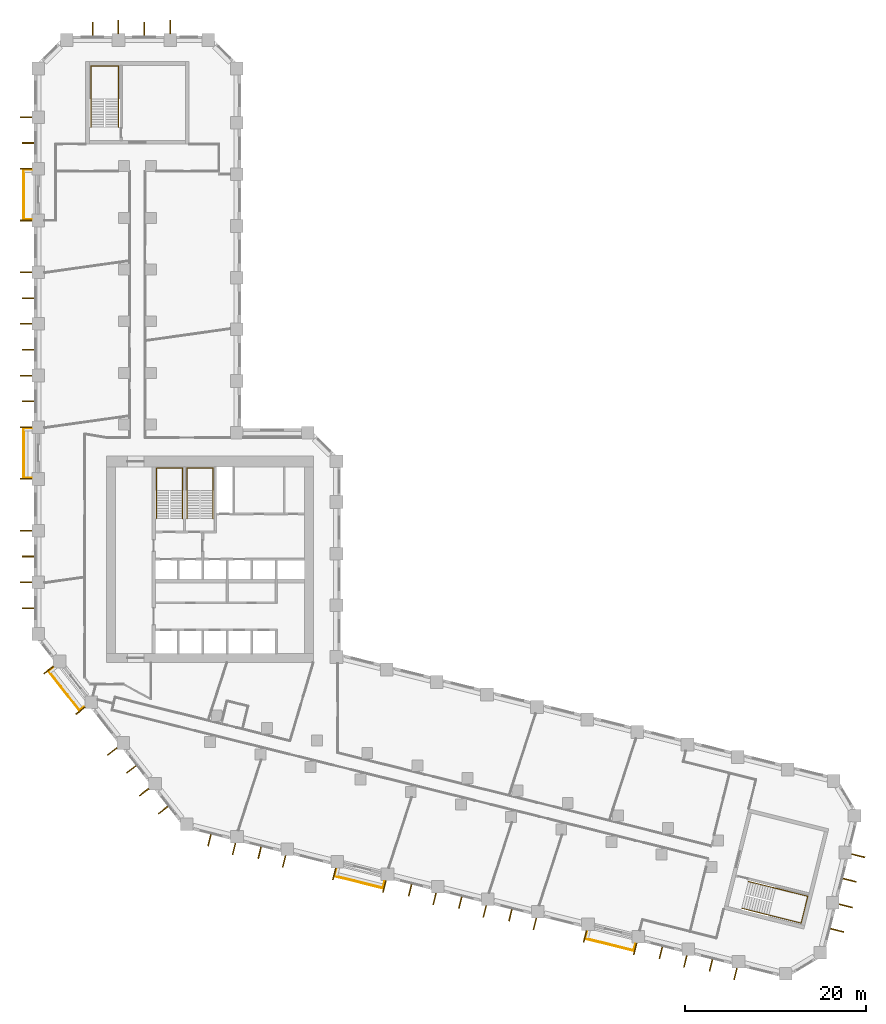
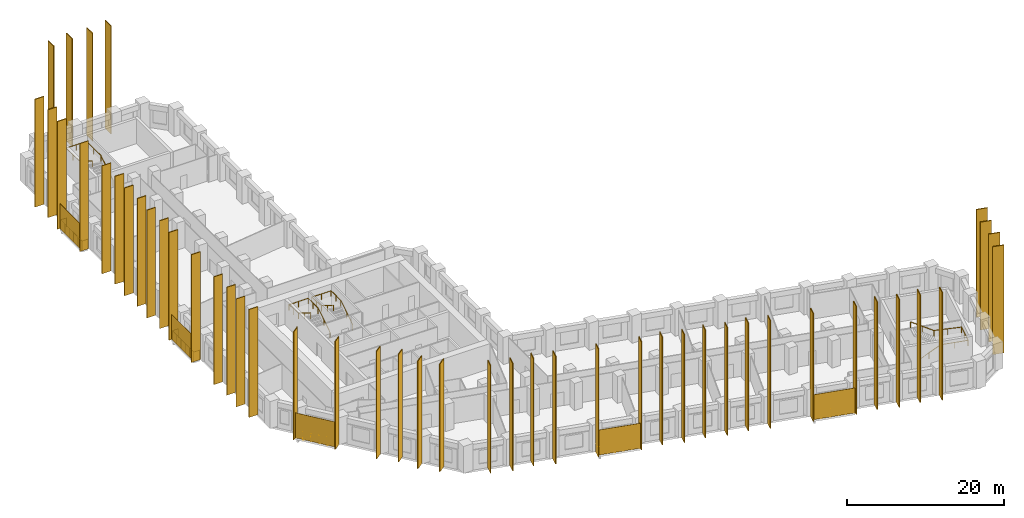
# One storey, part 12 of 12: 53 shading devices, 9 railings.
"""IFC4 building model written with IfcOpenShell, lengths in metres."""

from ifc_helpers import new_model, si_unit, direction, frame, origin, origin_2d, place, context, subcontext, project, spatial, rectangle, circle, extrude, material, layer, layer_set, type_object, element, save


model = new_model("IFC4")

# Units and contexts
model_context = context("Model", 3, precision=1e-05, world=origin(), true_north=direction((0.0, 1.0)))
body_context = subcontext(model_context, "Body", "Model", "MODEL_VIEW")
ifc_project = project(units=[si_unit("LENGTHUNIT", "METRE"), si_unit("AREAUNIT", "SQUARE_METRE"), si_unit("VOLUMEUNIT", "CUBIC_METRE"), si_unit("PLANEANGLEUNIT", "RADIAN"), si_unit("MASSUNIT", "GRAM", prefix="KILO")], contexts=[model_context])

# Site, building, storey
site_placement = place(None, origin())
site = spatial("IfcSite", under=ifc_project, at=site_placement, CompositionType="ELEMENT")
building_placement = place(site_placement, origin())
building = spatial("IfcBuilding", under=site, at=building_placement, Name="Meshkara Civic Tower", CompositionType="ELEMENT")
storey_placement = place(building_placement, frame((0.0, 0.0, 66.60009765625)))
storey = spatial("IfcBuildingStorey", under=building, at=storey_placement, Name="L14", CompositionType="ELEMENT", Elevation=66.60009765625)

# Railings
ifc_material_1 = material(Name="Steel S355", Category="steel")
railing_type_1 = type_object("IfcRailingType", Name="BALUSTRADE GUARD 1400", PredefinedType="BALUSTRADE", material=ifc_material_1)
for number, where, name in (
    (1, (-0.25, 68.43505859375, 0.0), "Balcony guard"),
    (2, (-0.25, 39.93505859375, 0.0), "Balcony guard"),
):
    element("IfcRailing", number, at=place(storey_placement, frame(where)), inside=storey, type_object=railing_type_1, Name=name, PredefinedType="BALUSTRADE", context=body_context, shape_type="SweptSolid", body=[
        extrude(circle(Radius=0.02392578125, at=origin_2d()), frame((0.0, 0.0, 1.3759765625), z_axis=(-1.0, 0.0, 0.0), x_axis=(0.0, -1.0, 0.0)), (0.0, 0.0, 1.0), 0.860107421875),
        extrude(circle(Radius=0.02392578125, at=origin_2d()), frame((-0.860107421875, 0.0, 1.3759765625), z_axis=(0.0, -1.0, 0.0), x_axis=(1.0, 0.0, 0.0)), (0.0, 0.0, 1.0), 5.4599609375),
        extrude(circle(Radius=0.02392578125, at=origin_2d()), frame((-0.860107421875, -5.4599609375, 1.3759765625), z_axis=(1.0, 0.0, 0.0), x_axis=(0.0, 1.0, 0.0)), (0.0, 0.0, 1.0), 0.860107421875),
        extrude(circle(Radius=0.02099609375, at=origin_2d()), origin(), (0.0, 0.0, 1.0), 1.351806640625),
        extrude(circle(Radius=0.02099609375, at=origin_2d()), frame((-0.860107421875, 0.0, 0.0)), (0.0, 0.0, 1.0), 1.351806640625),
        extrude(circle(Radius=0.02099609375, at=origin_2d()), frame((-0.860107421875, -1.092041015625, 0.0)), (0.0, 0.0, 1.0), 1.351806640625),
        extrude(circle(Radius=0.02099609375, at=origin_2d()), frame((-0.860107421875, -2.18408203125, 0.0)), (0.0, 0.0, 1.0), 1.351806640625),
        extrude(circle(Radius=0.02099609375, at=origin_2d()), frame((-0.860107421875, -3.27587890625, 0.0)), (0.0, 0.0, 1.0), 1.351806640625),
        extrude(circle(Radius=0.02099609375, at=origin_2d()), frame((-0.860107421875, -4.367919921875, 0.0)), (0.0, 0.0, 1.0), 1.351806640625),
        extrude(circle(Radius=0.02099609375, at=origin_2d()), frame((-0.860107421875, -5.4599609375, 0.0)), (0.0, 0.0, 1.0), 1.351806640625),
        extrude(circle(Radius=0.02099609375, at=origin_2d()), frame((0.0, -5.4599609375, 0.0)), (0.0, 0.0, 1.0), 1.351806640625),
    ])
railing_1_placement = place(storey_placement, frame((2.114013671875, 13.530029296875, 0.0)))
element("IfcRailing", 3, at=railing_1_placement, inside=storey, type_object=railing_type_1, Name="Balcony guard", PredefinedType="BALUSTRADE", context=body_context, shape_type="SweptSolid", body=[
    extrude(circle(Radius=0.02392578125, at=origin_2d()), frame((0.0, 0.0, 1.3759765625), z_axis=(-0.787665480528, -0.616103149469, 0.0), x_axis=(0.616103149469, -0.787665480528, 0.0)), (0.0, 0.0, 1.0), 0.57763671875),
    extrude(circle(Radius=0.02392578125, at=origin_2d()), frame((-0.455078125, -0.35595703125, 1.3759765625), z_axis=(0.615573755741, -0.788079279795, 0.0), x_axis=(0.788079279795, 0.615573755741, 0.0)), (0.0, 0.0, 1.0), 5.460205078125),
    extrude(circle(Radius=0.02392578125, at=origin_2d()), frame((2.906005859375, -4.658935546875, 1.3759765625), z_axis=(0.787665480528, 0.616103149469, 0.0), x_axis=(-0.616103149469, 0.787665480528, 0.0)), (0.0, 0.0, 1.0), 0.57763671875),
    extrude(circle(Radius=0.02099609375, at=origin_2d()), origin(), (0.0, 0.0, 1.0), 1.351806640625),
    extrude(circle(Radius=0.02099609375, at=origin_2d()), frame((-0.455078125, -0.35595703125, 0.0)), (0.0, 0.0, 1.0), 1.351806640625),
    extrude(circle(Radius=0.02099609375, at=origin_2d()), frame((0.217041015625, -1.216552734375, 0.0)), (0.0, 0.0, 1.0), 1.351806640625),
    extrude(circle(Radius=0.02099609375, at=origin_2d()), frame((0.889404296875, -2.0771484375, 0.0)), (0.0, 0.0, 1.0), 1.351806640625),
    extrude(circle(Radius=0.02099609375, at=origin_2d()), frame((1.5615234375, -2.937744140625, 0.0)), (0.0, 0.0, 1.0), 1.351806640625),
    extrude(circle(Radius=0.02099609375, at=origin_2d()), frame((2.23388671875, -3.79833984375, 0.0)), (0.0, 0.0, 1.0), 1.351806640625),
    extrude(circle(Radius=0.02099609375, at=origin_2d()), frame((2.906005859375, -4.658935546875, 0.0)), (0.0, 0.0, 1.0), 1.351806640625),
    extrude(circle(Radius=0.02099609375, at=origin_2d()), frame((3.361083984375, -4.302978515625, 0.0)), (0.0, 0.0, 1.0), 1.351806640625),
])
railing_2_placement = place(storey_placement, frame((33.35400390625, -8.72705078125, 0.0)))
element("IfcRailing", 4, at=railing_2_placement, inside=storey, type_object=railing_type_1, Name="Balcony guard", PredefinedType="BALUSTRADE", context=body_context, shape_type="SweptSolid", body=[
    extrude(circle(Radius=0.02392578125, at=origin_2d()), frame((0.0, 0.0, 1.3759765625), z_axis=(-0.242050887106, -0.970263555974, 0.0), x_axis=(0.970263555974, -0.242050887106, 0.0)), (0.0, 0.0, 1.0), 0.711181640625),
    extrude(circle(Radius=0.02392578125, at=origin_2d()), frame((-0.172119140625, -0.68994140625, 1.3759765625), z_axis=(0.970292231073, -0.24193591366, 0.0), x_axis=(0.24193591366, 0.970292231073, 0.0)), (0.0, 0.0, 1.0), 5.460205078125),
    extrude(circle(Radius=0.02392578125, at=origin_2d()), frame((5.1259765625, -2.010986328125, 1.3759765625), z_axis=(0.242050887106, 0.970263555974, 0.0), x_axis=(-0.970263555974, 0.242050887106, 0.0)), (0.0, 0.0, 1.0), 0.711181640625),
    extrude(circle(Radius=0.02099609375, at=origin_2d()), origin(), (0.0, 0.0, 1.0), 1.351806640625),
    extrude(circle(Radius=0.02099609375, at=origin_2d()), frame((-0.172119140625, -0.68994140625, 0.0)), (0.0, 0.0, 1.0), 1.351806640625),
    extrude(circle(Radius=0.02099609375, at=origin_2d()), frame((0.887451171875, -0.9541015625, 0.0)), (0.0, 0.0, 1.0), 1.351806640625),
    extrude(circle(Radius=0.02099609375, at=origin_2d()), frame((1.947021484375, -1.21826171875, 0.0)), (0.0, 0.0, 1.0), 1.351806640625),
    extrude(circle(Radius=0.02099609375, at=origin_2d()), frame((3.0068359375, -1.482666015625, 0.0)), (0.0, 0.0, 1.0), 1.351806640625),
    extrude(circle(Radius=0.02099609375, at=origin_2d()), frame((4.06640625, -1.746826171875, 0.0)), (0.0, 0.0, 1.0), 1.351806640625),
    extrude(circle(Radius=0.02099609375, at=origin_2d()), frame((5.1259765625, -2.010986328125, 0.0)), (0.0, 0.0, 1.0), 1.351806640625),
    extrude(circle(Radius=0.02099609375, at=origin_2d()), frame((5.298095703125, -1.321044921875, 0.0)), (0.0, 0.0, 1.0), 1.351806640625),
])
railing_3_placement = place(storey_placement, frame((61.008056640625, -15.6220703125, 0.0)))
element("IfcRailing", 5, at=railing_3_placement, inside=storey, type_object=railing_type_1, Name="Balcony guard", PredefinedType="BALUSTRADE", context=body_context, shape_type="SweptSolid", body=[
    extrude(circle(Radius=0.02392578125, at=origin_2d()), frame((0.0, 0.0, 1.3759765625), z_axis=(-0.242050887106, -0.970263555974, 0.0), x_axis=(0.970263555974, -0.242050887106, 0.0)), (0.0, 0.0, 1.0), 0.711181640625),
    extrude(circle(Radius=0.02392578125, at=origin_2d()), frame((-0.172119140625, -0.68994140625, 1.3759765625), z_axis=(0.970281759871, -0.241977904902, 0.0), x_axis=(0.241977904902, 0.970281759871, 0.0)), (0.0, 0.0, 1.0), 5.45947265625),
    extrude(circle(Radius=0.02392578125, at=origin_2d()), frame((5.125, -2.010986328125, 1.3759765625), z_axis=(0.241325582248, 0.970444209294, 0.0), x_axis=(-0.970444209294, 0.241325582248, 0.0)), (0.0, 0.0, 1.0), 0.712158203125),
    extrude(circle(Radius=0.02099609375, at=origin_2d()), origin(), (0.0, 0.0, 1.0), 1.351806640625),
    extrude(circle(Radius=0.02099609375, at=origin_2d()), frame((-0.172119140625, -0.68994140625, 0.0)), (0.0, 0.0, 1.0), 1.351806640625),
    extrude(circle(Radius=0.02099609375, at=origin_2d()), frame((0.88720703125, -0.9541015625, 0.0)), (0.0, 0.0, 1.0), 1.351806640625),
    extrude(circle(Radius=0.02099609375, at=origin_2d()), frame((1.94677734375, -1.21826171875, 0.0)), (0.0, 0.0, 1.0), 1.351806640625),
    extrude(circle(Radius=0.02099609375, at=origin_2d()), frame((3.006103515625, -1.482666015625, 0.0)), (0.0, 0.0, 1.0), 1.351806640625),
    extrude(circle(Radius=0.02099609375, at=origin_2d()), frame((4.065673828125, -1.746826171875, 0.0)), (0.0, 0.0, 1.0), 1.351806640625),
    extrude(circle(Radius=0.02099609375, at=origin_2d()), frame((5.125, -2.010986328125, 0.0)), (0.0, 0.0, 1.0), 1.351806640625),
    extrude(circle(Radius=0.02099609375, at=origin_2d()), frame((5.296875, -1.31982421875, 0.0)), (0.0, 0.0, 1.0), 1.351806640625),
])

# Shading devices
ifc_material_2 = material(Name="Bronze anodised aluminium", Category="aluminium")
ifc_layer_1 = layer(ifc_material_2, 0.1201171875)
ifc_layer_set_1 = layer_set([ifc_layer_1], Name="BRONZE FIN 1300")
shading_device_type_1 = type_object("IfcShadingDeviceType", Name="BRONZE FIN 1300", PredefinedType="USERDEFINED", material=ifc_layer_set_1)
for number, where, z_axis, x_axis, name in (
    (6, (-0.89990234375, 74.2548828125, 0.0), (0.0, 0.0, 1.0), (0.0, -1.0, 0.0), "Fin"),
    (7, (-0.64990234375, 71.405029296875, 0.0), (0.0, 0.0, 1.0), (0.0, -1.0, 0.0), "Fin"),
    (8, (-0.89990234375, 68.554931640625, 0.0), (0.0, 0.0, 1.0), (0.0, -1.0, 0.0), "Fin"),
    (9, (-0.89990234375, 62.85498046875, 0.0), (0.0, 0.0, 1.0), (0.0, -1.0, 0.0), "Fin"),
    (10, (-0.89990234375, 57.155029296875, 0.0), (0.0, 0.0, 1.0), (0.0, -1.0, 0.0), "Fin"),
    (11, (-0.64990234375, 54.304931640625, 0.0), (0.0, 0.0, 1.0), (0.0, -1.0, 0.0), "Fin"),
    (12, (-0.89990234375, 51.455078125, 0.0), (0.0, 0.0, 1.0), (0.0, -1.0, 0.0), "Fin"),
    (13, (-0.64990234375, 48.60498046875, 0.0), (0.0, 0.0, 1.0), (0.0, -1.0, 0.0), "Fin"),
    (14, (-0.89990234375, 45.7548828125, 0.0), (0.0, 0.0, 1.0), (0.0, -1.0, 0.0), "Fin"),
    (15, (-0.64990234375, 42.905029296875, 0.0), (0.0, 0.0, 1.0), (0.0, -1.0, 0.0), "Fin"),
    (16, (-0.89990234375, 40.054931640625, 0.0), (0.0, 0.0, 1.0), (0.0, -1.0, 0.0), "Fin"),
    (17, (-0.89990234375, 34.35498046875, 0.0), (0.0, 0.0, 1.0), (0.0, -1.0, 0.0), "Fin"),
    (18, (-0.89990234375, 28.655029296875, 0.0), (0.0, 0.0, 1.0), (0.0, -1.0, 0.0), "Fin"),
    (19, (-0.64990234375, 25.804931640625, 0.0), (0.0, 0.0, 1.0), (0.0, -1.0, 0.0), "Fin"),
    (20, (-0.89990234375, 22.955078125, 0.0), (0.0, 0.0, 1.0), (0.0, -1.0, 0.0), "Fin"),
    (21, (-0.64990234375, 20.10498046875, 0.0), (0.0, 0.0, 1.0), (0.0, -1.0, 0.0), "Fin"),
    (22, (1.60205078125, 13.281982421875, 0.0), (0.0, 0.0, 1.0), (0.615661475326, -0.788010753607, 0.0), "Fin"),
    (23, (5.111083984375, 8.7900390625, 0.0), (0.0, 0.0, 1.0), (0.615661475326, -0.788010753607, 0.0), "Fin"),
    (24, (8.62109375, 4.298095703125, 0.0), (0.0, 0.0, 1.0), (0.615661475326, -0.788010753607, 0.0), "Fin"),
    (25, (10.720947265625, 2.322021484375, 0.0), (0.0, 0.0, 1.0), (0.615661475326, -0.788010753607, 0.0), "Fin"),
    (26, (12.1298828125, -0.193115234375, 0.0), (0.0, 0.0, 1.0), (0.615661475326, -0.788010753607, 0.0), "Fin"),
    (27, (14.22998046875, -2.1689453125, 0.0), (0.0, 0.0, 1.0), (0.615661475326, -0.788010753607, 0.0), "Fin"),
    (28, (19.35009765625, -5.4951171875, 0.0), (0.0, 0.0, 1.0), (0.970295726276, -0.2419218956, 0.0), "Fin"),
    (29, (22.050048828125, -6.447998046875, 0.0), (0.0, 0.0, 1.0), (0.970295726276, -0.2419218956, 0.0), "Fin"),
    (30, (24.881103515625, -6.8740234375, 0.0), (0.0, 0.0, 1.0), (0.970295726276, -0.2419218956, 0.0), "Fin"),
    (31, (27.580078125, -7.826904296875, 0.0), (0.0, 0.0, 1.0), (0.970295726276, -0.2419218956, 0.0), "Fin"),
    (32, (33.111083984375, -9.2060546875, 0.0), (0.0, 0.0, 1.0), (0.970295726276, -0.2419218956, 0.0), "Fin"),
    (33, (38.64208984375, -10.5849609375, 0.0), (0.0, 0.0, 1.0), (0.970295726276, -0.2419218956, 0.0), "Fin"),
    (34, (41.472900390625, -11.010009765625, 0.0), (0.0, 0.0, 1.0), (0.970295726276, -0.2419218956, 0.0), "Fin"),
    (35, (44.173095703125, -11.962890625, 0.0), (0.0, 0.0, 1.0), (0.970295726276, -0.2419218956, 0.0), "Fin"),
    (36, (47.00390625, -12.388916015625, 0.0), (0.0, 0.0, 1.0), (0.970295726276, -0.2419218956, 0.0), "Fin"),
    (37, (49.702880859375, -13.342041015625, 0.0), (0.0, 0.0, 1.0), (0.970295726276, -0.2419218956, 0.0), "Fin"),
    (38, (52.533935546875, -13.76806640625, 0.0), (0.0, 0.0, 1.0), (0.970295726276, -0.2419218956, 0.0), "Fin"),
    (39, (55.23388671875, -14.720947265625, 0.0), (0.0, 0.0, 1.0), (0.970295726276, -0.2419218956, 0.0), "Fin"),
    (40, (60.764892578125, -16.10009765625, 0.0), (0.0, 0.0, 1.0), (0.970295726276, -0.2419218956, 0.0), "Fin"),
    (41, (66.294921875, -17.47900390625, 0.0), (0.0, 0.0, 1.0), (0.970295726276, -0.2419218956, 0.0), "Fin"),
    (42, (69.1259765625, -17.905029296875, 0.0), (0.0, 0.0, 1.0), (0.970295726276, -0.2419218956, 0.0), "Fin"),
    (43, (71.825927734375, -18.85791015625, 0.0), (0.0, 0.0, 1.0), (0.970295726276, -0.2419218956, 0.0), "Fin"),
    (44, (74.656982421875, -19.283935546875, 0.0), (0.0, 0.0, 1.0), (0.970295726276, -0.2419218956, 0.0), "Fin"),
    (45, (77.35693359375, -20.237060546875, 0.0), (0.0, 0.0, 1.0), (0.970295726276, -0.2419218956, 0.0), "Fin"),
):
    element("IfcShadingDevice", number, at=place(storey_placement, frame(where, z_axis=z_axis, x_axis=x_axis)), inside=storey, type_object=shading_device_type_1, Name=name, ObjectType="FIN", PredefinedType="USERDEFINED", context=body_context, shape_type="SweptSolid", body=[
        extrude(rectangle(XDim=0.1201171875, YDim=1.300048828125, at=origin_2d()), origin(), (0.0, 0.0, 1.0), 16.800048828125),
    ])
ifc_material_3 = material(Name="Bronze anodised aluminium", Category="aluminium")
ifc_layer_2 = layer(ifc_material_3, 0.1201171875)
ifc_layer_set_2 = layer_set([ifc_layer_2], Name="BRONZE FIN 1500")
shading_device_type_2 = type_object("IfcShadingDeviceType", Name="BRONZE FIN 1500", PredefinedType="USERDEFINED", material=ifc_layer_set_2)
for number, where, z_axis, x_axis, name in (
    (46, (15.006103515625, 84.219970703125, 0.0), (0.0, 0.0, 1.0), (-1.0, 0.0, 0.0), "Fin"),
    (47, (12.156005859375, 83.969970703125, 0.0), (0.0, 0.0, 1.0), (-1.0, 0.0, 0.0), "Fin"),
    (48, (9.305908203125, 84.219970703125, 0.0), (0.0, 0.0, 1.0), (-1.0, 0.0, 0.0), "Fin"),
    (49, (6.4560546875, 83.969970703125, 0.0), (0.0, 0.0, 1.0), (-1.0, 0.0, 0.0), "Fin"),
    (50, (88.568115234375, -15.427978515625, 0.0), (0.0, 0.0, 1.0), (0.2419218956, 0.970295726276, 0.0), "Fin"),
    (51, (89.52099609375, -12.72802734375, 0.0), (0.0, 0.0, 1.0), (0.2419218956, 0.970295726276, 0.0), "Fin"),
    (52, (89.947021484375, -9.89697265625, 0.0), (0.0, 0.0, 1.0), (0.2419218956, 0.970295726276, 0.0), "Fin"),
    (53, (90.89990234375, -7.197998046875, 0.0), (0.0, 0.0, 1.0), (0.2419218956, 0.970295726276, 0.0), "Fin"),
):
    element("IfcShadingDevice", number, at=place(storey_placement, frame(where, z_axis=z_axis, x_axis=x_axis)), inside=storey, type_object=shading_device_type_2, Name=name, ObjectType="FIN", PredefinedType="USERDEFINED", context=body_context, shape_type="SweptSolid", body=[
        extrude(rectangle(XDim=0.1201171875, YDim=1.5, at=origin_2d()), origin(), (0.0, 0.0, 1.0), 16.800048828125),
    ])
ifc_material_4 = material(Name="Perforated bronze anodised aluminium sheet", Category="aluminium")
ifc_layer_3 = layer(ifc_material_4, 0.0400390625)
ifc_layer_set_3 = layer_set([ifc_layer_3], Name="PERFORATED BRONZE SCREEN")
shading_device_type_3 = type_object("IfcShadingDeviceType", Name="PERFORATED BRONZE SCREEN", PredefinedType="USERDEFINED", material=ifc_layer_set_3)
for number, where, z_axis, x_axis, name in (
    (54, (-1.179931640625, 65.705078125, 0.0), (0.0, 0.0, 1.0), (0.0, -1.0, 0.0), "Balcony screen"),
    (55, (-1.179931640625, 37.205078125, 0.0), (0.0, 0.0, 1.0), (0.0, -1.0, 0.0), "Balcony screen"),
    (56, (3.283935546875, 10.97998046875, 0.0), (0.0, 0.0, 1.0), (0.615661475326, -0.788010753607, 0.0), "Balcony screen"),
    (57, (35.81396484375, -10.14599609375, 0.0), (0.0, 0.0, 1.0), (0.970295726276, -0.2419218956, 0.0), "Balcony screen"),
):
    element("IfcShadingDevice", number, at=place(storey_placement, frame(where, z_axis=z_axis, x_axis=x_axis)), inside=storey, type_object=shading_device_type_3, Name=name, ObjectType="SCREEN", PredefinedType="USERDEFINED", context=body_context, shape_type="SweptSolid", body=[
        extrude(rectangle(XDim=5.580078125, YDim=0.0400390625, at=origin_2d()), origin(), (0.0, 0.0, 1.0), 3.89990234375),
    ])
shading_device_placement = place(storey_placement, frame((63.468017578125, -17.0400390625, 0.0), z_axis=(0.0, 0.0, 1.0), x_axis=(0.970295726276, -0.2419218956, 0.0)))
element("IfcShadingDevice", 58, at=shading_device_placement, inside=storey, type_object=shading_device_type_3, Name="Balcony screen", ObjectType="SCREEN", PredefinedType="USERDEFINED", context=body_context, shape_type="SweptSolid", body=[
    extrude(rectangle(XDim=5.5791015625, YDim=0.0400390625, at=origin_2d()), origin(), (0.0, 0.0, 1.0), 3.89990234375),
])

# Railings
ifc_material_5 = material(Name="Steel handrail", Category="steel")
railing_type_2 = type_object("IfcRailingType", Name="Stair handrail 900", PredefinedType="HANDRAIL", material=ifc_material_5)
railing_4_placement = place(storey_placement, frame((16.375, 30.0, 0.1748046875)))
element("IfcRailing", 59, at=railing_4_placement, inside=storey, type_object=railing_type_2, Name="L14 ST1 stair handrail 1", PredefinedType="HANDRAIL", context=body_context, shape_type="SweptSolid", body=[
    extrude(circle(Radius=0.02392578125, at=origin_2d()), frame((0.0, 0.0, 0.8759765625), z_axis=(0.0, 0.847998304005, 0.529998940003), x_axis=(-1.0, 0.0, 0.0)), (0.0, 0.0, 1.0), 3.632080078125),
    extrude(circle(Radius=0.02392578125, at=origin_2d()), frame((0.0, 3.080078125, 2.80078125), z_axis=(0.0, 1.0, 0.0), x_axis=(-1.0, 0.0, 0.0)), (0.0, 0.0, 1.0), 2.469970703125),
    extrude(circle(Radius=0.02392578125, at=origin_2d()), frame((0.0, 5.550048828125, 2.80078125), z_axis=(-1.0, 0.0, 0.0), x_axis=(0.0, -1.0, 0.0)), (0.0, 0.0, 1.0), 2.85009765625),
    extrude(circle(Radius=0.02392578125, at=origin_2d()), frame((-2.85009765625, 5.550048828125, 2.80078125), z_axis=(0.0, -0.997498084828, 0.070693498747), x_axis=(1.0, 0.0, 0.0)), (0.0, 0.0, 1.0), 2.47607421875),
    extrude(circle(Radius=0.02392578125, at=origin_2d()), frame((-2.85009765625, 3.080078125, 2.97607421875), z_axis=(0.0, -0.847998304005, 0.529998940003), x_axis=(1.0, 0.0, 0.0)), (0.0, 0.0, 1.0), 3.632080078125),
    extrude(circle(Radius=0.02099609375, at=origin_2d()), origin(), (0.0, 0.0, 1.0), 0.851806640625),
    extrude(circle(Radius=0.02099609375, at=origin_2d()), frame((0.0, 1.5400390625, 0.96240234375)), (0.0, 0.0, 1.0), 0.851806640625),
    extrude(circle(Radius=0.02099609375, at=origin_2d()), frame((0.0, 3.080078125, 1.925048828125)), (0.0, 0.0, 1.0), 0.851806640625),
    extrude(circle(Radius=0.02099609375, at=origin_2d()), frame((0.0, 4.31494140625, 1.925048828125)), (0.0, 0.0, 1.0), 0.851806640625),
    extrude(circle(Radius=0.02099609375, at=origin_2d()), frame((0.0, 5.550048828125, 1.925048828125)), (0.0, 0.0, 1.0), 0.851806640625),
    extrude(circle(Radius=0.02099609375, at=origin_2d()), frame((-1.425048828125, 5.550048828125, 1.925048828125)), (0.0, 0.0, 1.0), 0.851806640625),
    extrude(circle(Radius=0.02099609375, at=origin_2d()), frame((-2.85009765625, 5.550048828125, 1.925048828125)), (0.0, 0.0, 1.0), 0.851806640625),
    extrude(circle(Radius=0.02099609375, at=origin_2d()), frame((-2.85009765625, 4.31494140625, 2.0126953125)), (0.0, 0.0, 1.0), 0.851806640625),
    extrude(circle(Radius=0.02099609375, at=origin_2d()), frame((-2.85009765625, 3.080078125, 2.10009765625)), (0.0, 0.0, 1.0), 0.851806640625),
    extrude(circle(Radius=0.02099609375, at=origin_2d()), frame((-2.85009765625, 1.5400390625, 3.0625)), (0.0, 0.0, 1.0), 0.851806640625),
    extrude(circle(Radius=0.02099609375, at=origin_2d()), frame((-2.85009765625, 0.0, 4.025146484375)), (0.0, 0.0, 1.0), 0.851806640625),
])
railing_5_placement = place(storey_placement, frame((19.72509765625, 30.0, 0.1748046875)))
element("IfcRailing", 60, at=railing_5_placement, inside=storey, type_object=railing_type_2, Name="L14 ST2 stair handrail 1", PredefinedType="HANDRAIL", context=body_context, shape_type="SweptSolid", body=[
    extrude(circle(Radius=0.02392578125, at=origin_2d()), frame((0.0, 0.0, 0.8759765625), z_axis=(0.0, 0.847998304005, 0.529998940003), x_axis=(-1.0, 0.0, 0.0)), (0.0, 0.0, 1.0), 3.632080078125),
    extrude(circle(Radius=0.02392578125, at=origin_2d()), frame((0.0, 3.080078125, 2.80078125), z_axis=(0.0, 1.0, 0.0), x_axis=(-1.0, 0.0, 0.0)), (0.0, 0.0, 1.0), 2.469970703125),
    extrude(circle(Radius=0.02392578125, at=origin_2d()), frame((0.0, 5.550048828125, 2.80078125), z_axis=(-1.0, 0.0, 0.0), x_axis=(0.0, -1.0, 0.0)), (0.0, 0.0, 1.0), 2.85009765625),
    extrude(circle(Radius=0.02392578125, at=origin_2d()), frame((-2.85009765625, 5.550048828125, 2.80078125), z_axis=(0.0, -0.997498084828, 0.070693498747), x_axis=(1.0, 0.0, 0.0)), (0.0, 0.0, 1.0), 2.47607421875),
    extrude(circle(Radius=0.02392578125, at=origin_2d()), frame((-2.85009765625, 3.080078125, 2.97607421875), z_axis=(0.0, -0.847998304005, 0.529998940003), x_axis=(1.0, 0.0, 0.0)), (0.0, 0.0, 1.0), 3.632080078125),
    extrude(circle(Radius=0.02099609375, at=origin_2d()), origin(), (0.0, 0.0, 1.0), 0.851806640625),
    extrude(circle(Radius=0.02099609375, at=origin_2d()), frame((0.0, 1.5400390625, 0.96240234375)), (0.0, 0.0, 1.0), 0.851806640625),
    extrude(circle(Radius=0.02099609375, at=origin_2d()), frame((0.0, 3.080078125, 1.925048828125)), (0.0, 0.0, 1.0), 0.851806640625),
    extrude(circle(Radius=0.02099609375, at=origin_2d()), frame((0.0, 4.31494140625, 1.925048828125)), (0.0, 0.0, 1.0), 0.851806640625),
    extrude(circle(Radius=0.02099609375, at=origin_2d()), frame((0.0, 5.550048828125, 1.925048828125)), (0.0, 0.0, 1.0), 0.851806640625),
    extrude(circle(Radius=0.02099609375, at=origin_2d()), frame((-1.425048828125, 5.550048828125, 1.925048828125)), (0.0, 0.0, 1.0), 0.851806640625),
    extrude(circle(Radius=0.02099609375, at=origin_2d()), frame((-2.85009765625, 5.550048828125, 1.925048828125)), (0.0, 0.0, 1.0), 0.851806640625),
    extrude(circle(Radius=0.02099609375, at=origin_2d()), frame((-2.85009765625, 4.31494140625, 2.0126953125)), (0.0, 0.0, 1.0), 0.851806640625),
    extrude(circle(Radius=0.02099609375, at=origin_2d()), frame((-2.85009765625, 3.080078125, 2.10009765625)), (0.0, 0.0, 1.0), 0.851806640625),
    extrude(circle(Radius=0.02099609375, at=origin_2d()), frame((-2.85009765625, 1.5400390625, 3.0625)), (0.0, 0.0, 1.0), 0.851806640625),
    extrude(circle(Radius=0.02099609375, at=origin_2d()), frame((-2.85009765625, 0.0, 4.025146484375)), (0.0, 0.0, 1.0), 0.851806640625),
])
railing_6_placement = place(storey_placement, frame((9.324951171875, 73.169921875, 0.1748046875)))
element("IfcRailing", 61, at=railing_6_placement, inside=storey, type_object=railing_type_2, Name="L14 ESA1 stair handrail 1", PredefinedType="HANDRAIL", context=body_context, shape_type="SweptSolid", body=[
    extrude(circle(Radius=0.02392578125, at=origin_2d()), frame((0.0, 0.0, 0.8759765625), z_axis=(0.0, 0.847998304005, 0.529998940003), x_axis=(-1.0, 0.0, 0.0)), (0.0, 0.0, 1.0), 3.632080078125),
    extrude(circle(Radius=0.02392578125, at=origin_2d()), frame((0.0, 3.080078125, 2.80078125), z_axis=(0.0, 1.0, 0.0), x_axis=(-1.0, 0.0, 0.0)), (0.0, 0.0, 1.0), 3.669921875),
    extrude(circle(Radius=0.02392578125, at=origin_2d()), frame((0.0, 6.75, 2.80078125), z_axis=(-1.0, 0.0, 0.0), x_axis=(0.0, -1.0, 0.0)), (0.0, 0.0, 1.0), 3.050048828125),
    extrude(circle(Radius=0.02392578125, at=origin_2d()), frame((-3.050048828125, 6.75, 2.80078125), z_axis=(0.0, -0.998864376167, 0.047644076484), x_axis=(1.0, 0.0, 0.0)), (0.0, 0.0, 1.0), 3.674072265625),
    extrude(circle(Radius=0.02392578125, at=origin_2d()), frame((-3.050048828125, 3.080078125, 2.97607421875), z_axis=(0.0, -0.847998304005, 0.529998940003), x_axis=(1.0, 0.0, 0.0)), (0.0, 0.0, 1.0), 3.632080078125),
    extrude(circle(Radius=0.02099609375, at=origin_2d()), origin(), (0.0, 0.0, 1.0), 0.851806640625),
    extrude(circle(Radius=0.02099609375, at=origin_2d()), frame((0.0, 1.5400390625, 0.96240234375)), (0.0, 0.0, 1.0), 0.851806640625),
    extrude(circle(Radius=0.02099609375, at=origin_2d()), frame((0.0, 3.080078125, 1.925048828125)), (0.0, 0.0, 1.0), 0.851806640625),
    extrude(circle(Radius=0.02099609375, at=origin_2d()), frame((0.0, 4.9150390625, 1.925048828125)), (0.0, 0.0, 1.0), 0.851806640625),
    extrude(circle(Radius=0.02099609375, at=origin_2d()), frame((0.0, 6.75, 1.925048828125)), (0.0, 0.0, 1.0), 0.851806640625),
    extrude(circle(Radius=0.02099609375, at=origin_2d()), frame((-1.52490234375, 6.75, 1.925048828125)), (0.0, 0.0, 1.0), 0.851806640625),
    extrude(circle(Radius=0.02099609375, at=origin_2d()), frame((-3.050048828125, 6.75, 1.925048828125)), (0.0, 0.0, 1.0), 0.851806640625),
    extrude(circle(Radius=0.02099609375, at=origin_2d()), frame((-3.050048828125, 4.9150390625, 2.0126953125)), (0.0, 0.0, 1.0), 0.851806640625),
    extrude(circle(Radius=0.02099609375, at=origin_2d()), frame((-3.050048828125, 3.080078125, 2.10009765625)), (0.0, 0.0, 1.0), 0.851806640625),
    extrude(circle(Radius=0.02099609375, at=origin_2d()), frame((-3.050048828125, 1.5400390625, 3.0625)), (0.0, 0.0, 1.0), 0.851806640625),
    extrude(circle(Radius=0.02099609375, at=origin_2d()), frame((-3.050048828125, 0.0, 4.025146484375)), (0.0, 0.0, 1.0), 0.851806640625),
])
railing_7_placement = place(storey_placement, frame((78.045166015625, -12.99169921875, 0.1748046875)))
element("IfcRailing", 62, at=railing_7_placement, inside=storey, type_object=railing_type_2, Name="L14 ESB1 stair handrail 1", PredefinedType="HANDRAIL", context=body_context, shape_type="SweptSolid", body=[
    extrude(circle(Radius=0.02392578125, at=origin_2d()), frame((0.0, 0.0, 0.8759765625), z_axis=(0.822781968105, -0.205275396666, 0.529992306062), x_axis=(0.242069343812, 0.970258951408, 0.0)), (0.0, 0.0, 1.0), 3.63232421875),
    extrude(circle(Radius=0.02392578125, at=origin_2d()), frame((2.988525390625, -0.74560546875, 2.80078125), z_axis=(0.970255876456, -0.242081668456, 0.0), x_axis=(0.242081668456, 0.970255876456, 0.0)), (0.0, 0.0, 1.0), 3.669921875),
    extrude(circle(Radius=0.02392578125, at=origin_2d()), frame((6.54931640625, -1.634033203125, 2.80078125), z_axis=(0.242064726708, 0.970260103315, 0.0), x_axis=(-0.970260103315, 0.242064726708, 0.0)), (0.0, 0.0, 1.0), 3.050048828125),
    extrude(circle(Radius=0.02392578125, at=origin_2d()), frame((7.28759765625, 1.3251953125, 2.80078125), z_axis=(-0.969154047904, 0.241806759021, 0.047643706023), x_axis=(-0.242081668456, -0.970255876456, 0.0)), (0.0, 0.0, 1.0), 3.674072265625),
    extrude(circle(Radius=0.02392578125, at=origin_2d()), frame((3.726806640625, 2.213623046875, 2.97607421875), z_axis=(-0.822781968105, 0.205275396666, 0.529992306062), x_axis=(-0.242069343812, -0.970258951408, 0.0)), (0.0, 0.0, 1.0), 3.63232421875),
    extrude(circle(Radius=0.02099609375, at=origin_2d()), origin(), (0.0, 0.0, 1.0), 0.851806640625),
    extrude(circle(Radius=0.02099609375, at=origin_2d()), frame((1.494140625, -0.372802734375, 0.96240234375)), (0.0, 0.0, 1.0), 0.851806640625),
    extrude(circle(Radius=0.02099609375, at=origin_2d()), frame((2.988525390625, -0.74560546875, 1.925048828125)), (0.0, 0.0, 1.0), 0.851806640625),
    extrude(circle(Radius=0.02099609375, at=origin_2d()), frame((4.76904296875, -1.18994140625, 1.925048828125)), (0.0, 0.0, 1.0), 0.851806640625),
    extrude(circle(Radius=0.02099609375, at=origin_2d()), frame((6.54931640625, -1.634033203125, 1.925048828125)), (0.0, 0.0, 1.0), 0.851806640625),
    extrude(circle(Radius=0.02099609375, at=origin_2d()), frame((6.91845703125, -0.154296875, 1.925048828125)), (0.0, 0.0, 1.0), 0.851806640625),
    extrude(circle(Radius=0.02099609375, at=origin_2d()), frame((7.28759765625, 1.3251953125, 1.925048828125)), (0.0, 0.0, 1.0), 0.851806640625),
    extrude(circle(Radius=0.02099609375, at=origin_2d()), frame((5.50732421875, 1.76953125, 2.0126953125)), (0.0, 0.0, 1.0), 0.851806640625),
    extrude(circle(Radius=0.02099609375, at=origin_2d()), frame((3.726806640625, 2.213623046875, 2.10009765625)), (0.0, 0.0, 1.0), 0.851806640625),
    extrude(circle(Radius=0.02099609375, at=origin_2d()), frame((2.232421875, 2.58642578125, 3.0625)), (0.0, 0.0, 1.0), 0.851806640625),
    extrude(circle(Radius=0.02099609375, at=origin_2d()), frame((0.73828125, 2.959228515625, 4.025146484375)), (0.0, 0.0, 1.0), 0.851806640625),
])

save(model, "model.ifc")
